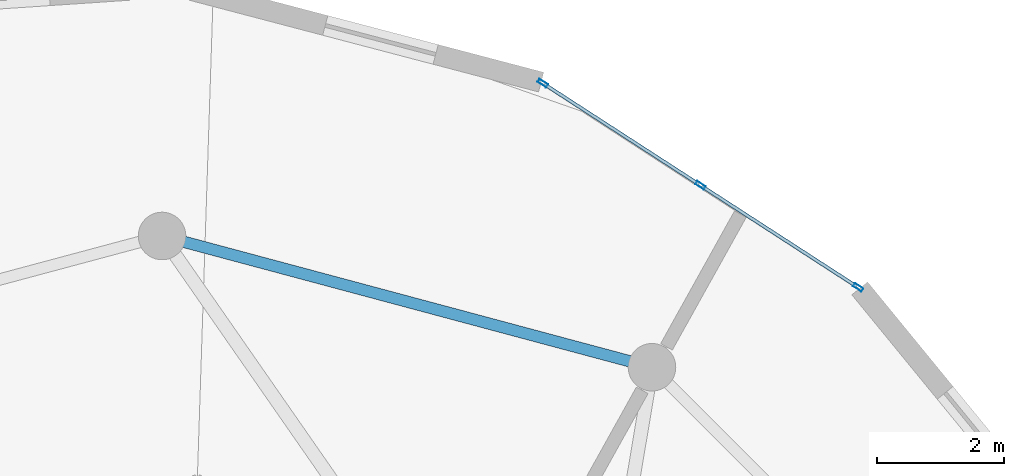
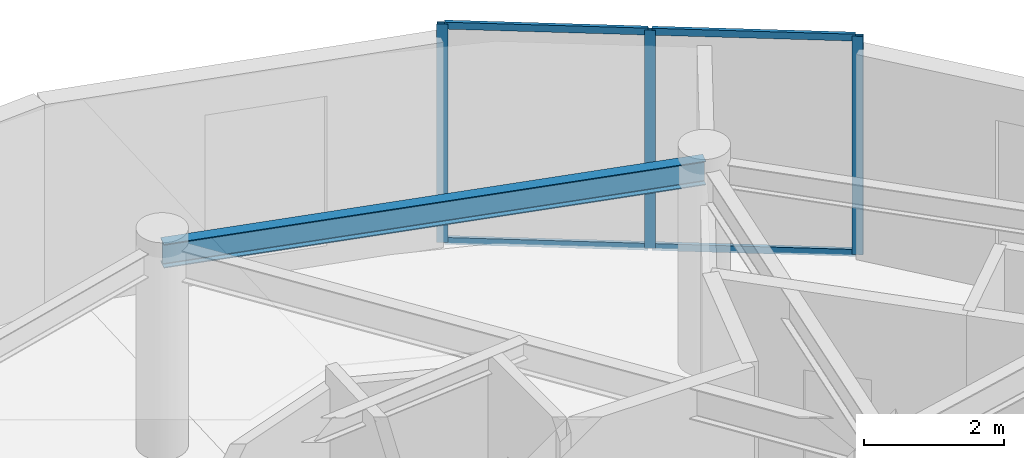
# One storey, part 10 of 17: 7 members, 1 beam, 1 element without a shape of its own.
"""IFC4 building model written with IfcOpenShell, lengths in metres."""

import ifcopenshell
import ifcopenshell.guid

model = None  # the IFC model being written
_history = None  # IfcOwnerHistory: only IFC2X3 demands one
_inside = {}  # id of a spatial element -> (the spatial element, [elements in it])
_under = {}  # id of a project, library or spatial element -> (it, [spatial elements below it])
_declared = {}  # id of a project -> (the project, [libraries it declares])
_typed = {}  # id of a type object -> (the type object, [elements of that type])
_made_of = {}  # id of a material, layer set ... -> (it, [elements and type objects made of it])


def new_model(schema):
    """Start an empty IFC model of exactly this schema.

    Asked for "IFC4X3", IfcOpenShell would pick the latest addendum, in which some entities
    have other attributes; the version numbers below select the first issue.
    IFC2X3 requires an IfcOwnerHistory on every rooted entity: one is made here for all.
    """
    global model, _history
    if schema == "IFC4X3":
        model = ifcopenshell.file(schema_version=(4, 3, 0, 0))
    else:
        model = ifcopenshell.file(schema=schema)
    _inside.clear()
    _under.clear()
    _declared.clear()
    _typed.clear()
    _made_of.clear()
    _history = None
    if model.schema == "IFC2X3":
        org = make("IfcOrganization", Name="unknown")
        user = make(
            "IfcPersonAndOrganization",
            ThePerson=make("IfcPerson", FamilyName="unknown"),
            TheOrganization=org,
        )
        app = make(
            "IfcApplication",
            ApplicationDeveloper=org,
            Version="unknown",
            ApplicationFullName="unknown",
            ApplicationIdentifier="unknown",
        )
        _history = make(
            "IfcOwnerHistory",
            OwningUser=user,
            OwningApplication=app,
            ChangeAction="ADDED",
            CreationDate=0,
        )
    return model


def make(cls, **values):
    """One entity of the class cls with the attributes given. An attribute that is None is left unset."""
    return model.create_entity(
        cls, **{name: value for name, value in values.items() if value is not None}
    )


def rooted(cls, **values):
    """An entity with a GlobalId (a new one), such as an element, a storey or a relation."""
    return make(cls, GlobalId=ifcopenshell.guid.new(), OwnerHistory=_history, **values)


def si_unit(unit_type, name, prefix=None):
    """IfcSIUnit, for example si_unit("LENGTHUNIT", "METRE", prefix="MILLI")."""
    return make("IfcSIUnit", UnitType=unit_type, Prefix=prefix, Name=name)


def assignment(units):
    """IfcUnitAssignment: the units of a project."""
    return None if units is None else make("IfcUnitAssignment", Units=units)


def point(xyz):
    """IfcCartesianPoint."""
    return None if xyz is None else make("IfcCartesianPoint", Coordinates=xyz)


def direction(xyz):
    """IfcDirection."""
    return None if xyz is None else make("IfcDirection", DirectionRatios=xyz)


def frame(location, z_axis=None, x_axis=None):
    """IfcAxis2Placement3D, a coordinate frame: its origin and axes. An axis left out is left unset."""
    return make(
        "IfcAxis2Placement3D",
        Location=point(location),
        Axis=direction(z_axis),
        RefDirection=direction(x_axis),
    )


def frame_2d(location, x_axis=None):
    """IfcAxis2Placement2D, a coordinate frame in the plane: its origin and x axis."""
    return make(
        "IfcAxis2Placement2D", Location=point(location), RefDirection=direction(x_axis)
    )


def origin():
    """The frame at (0, 0, 0) with its axes left unset."""
    return frame((0.0, 0.0, 0.0))


def origin_2d():
    """The frame at (0, 0) in the plane with its x axis left unset."""
    return frame_2d((0.0, 0.0))


def place(relative_to, where):
    """IfcLocalPlacement: puts the frame where relative to a parent placement (None: the world)."""
    return make(
        "IfcLocalPlacement", PlacementRelTo=relative_to, RelativePlacement=where
    )


def context(
    kind, dimensions, precision=None, world=None, true_north=None, identifier=None
):
    """IfcGeometricRepresentationContext, for example the 3D "Model" context."""
    return make(
        "IfcGeometricRepresentationContext",
        ContextIdentifier=identifier,
        ContextType=kind,
        CoordinateSpaceDimension=dimensions,
        Precision=precision,
        WorldCoordinateSystem=world,
        TrueNorth=true_north,
    )


def subcontext(parent, identifier, kind, view, scale=None):
    """IfcGeometricRepresentationSubContext, for example "Body" below "Model"."""
    return make(
        "IfcGeometricRepresentationSubContext",
        ContextIdentifier=identifier,
        ContextType=kind,
        ParentContext=parent,
        TargetScale=scale,
        TargetView=view,
    )


def project(units=None, contexts=None):
    """IfcProject with its units and contexts."""
    return rooted(
        "IfcProject",
        Name="project",
        RepresentationContexts=contexts,
        UnitsInContext=assignment(units),
    )


def spatial(cls, under=None, at=None, **own):
    """A site, building, storey or space (cls), placed at a placement, below another one or the project."""
    s = rooted(cls, ObjectPlacement=at, **own)
    if under is not None:
        _under.setdefault(under.id(), (under, []))[1].append(s)
    return s


def profile(cls, at=None, kind="AREA", **sizes):
    """A parametric profile (cls). Its sizes go by their IFC names, for example OverallWidth=200.0."""
    return make(cls, ProfileType=kind, Position=at, **sizes)


def hollow_rectangle(**sizes):
    """IfcRectangleHollowProfileDef."""
    return profile("IfcRectangleHollowProfileDef", **sizes)


def i_section(**sizes):
    """IfcIShapeProfileDef."""
    return profile("IfcIShapeProfileDef", **sizes)


def extrude(swept, where, along, depth):
    """IfcExtrudedAreaSolid: the profile swept, set in the frame where, extruded along a direction by depth."""
    return make(
        "IfcExtrudedAreaSolid",
        SweptArea=swept,
        Position=where,
        ExtrudedDirection=direction(along),
        Depth=depth,
    )


def shape(context_of_items, identifier, shape_type, items):
    """IfcShapeRepresentation: the items that make up one representation, for example the "Body"."""
    return make(
        "IfcShapeRepresentation",
        ContextOfItems=context_of_items,
        RepresentationIdentifier=identifier,
        RepresentationType=shape_type,
        Items=items,
    )


def source(mapping_origin, context_of_items, identifier, shape_type, items):
    """IfcRepresentationMap: a shape defined once, which mapped items show again and again."""
    return make(
        "IfcRepresentationMap",
        MappingOrigin=mapping_origin,
        MappedRepresentation=shape(context_of_items, identifier, shape_type, items),
    )


def transform(
    local_origin,
    x_axis=None,
    y_axis=None,
    z_axis=None,
    scale=None,
    scale2=None,
    scale3=None,
    uniform=True,
):
    """IfcCartesianTransformationOperator3D, or its non-uniform kind. x_axis, y_axis, z_axis: its Axis1, 2, 3."""
    if uniform:
        return make(
            "IfcCartesianTransformationOperator3D",
            Axis1=direction(x_axis),
            Axis2=direction(y_axis),
            LocalOrigin=point(local_origin),
            Scale=scale,
            Axis3=direction(z_axis),
        )
    return make(
        "IfcCartesianTransformationOperator3DnonUniform",
        Axis1=direction(x_axis),
        Axis2=direction(y_axis),
        LocalOrigin=point(local_origin),
        Scale=scale,
        Axis3=direction(z_axis),
        Scale2=scale2,
        Scale3=scale3,
    )


def mapped(mapping_source, mapping_target):
    """IfcMappedItem: shows the shape of a source again, moved by a transform."""
    return make(
        "IfcMappedItem", MappingSource=mapping_source, MappingTarget=mapping_target
    )


def material(Name=None, Category=None):
    """IfcMaterial."""
    return make("IfcMaterial", Name=Name, Category=Category)


def layer(
    of_material, thickness, ventilated=None, Name=None, Category=None, Priority=None
):
    """IfcMaterialLayer: one layer of a wall or slab, of a material (None: an air gap)."""
    return make(
        "IfcMaterialLayer",
        Material=of_material,
        LayerThickness=thickness,
        IsVentilated=ventilated,
        Name=Name,
        Category=Category,
        Priority=Priority,
    )


def layer_set(layers, Name=None):
    """IfcMaterialLayerSet."""
    return make("IfcMaterialLayerSet", MaterialLayers=layers, LayerSetName=Name)


def material_profile(
    of_material, cross_section, Name=None, Category=None, Priority=None
):
    """IfcMaterialProfile: a cross section and its material."""
    return make(
        "IfcMaterialProfile",
        Name=Name,
        Material=of_material,
        Profile=cross_section,
        Priority=Priority,
        Category=Category,
    )


def profile_set(profiles, Name=None, composite=None):
    """IfcMaterialProfileSet."""
    return make(
        "IfcMaterialProfileSet",
        Name=Name,
        MaterialProfiles=profiles,
        CompositeProfile=composite,
    )


def made_of(thing, what):
    """Note that an element or type object is made of a material, layer set ...; save() writes the relation."""
    if what is not None:
        _made_of.setdefault(what.id(), (what, []))[1].append(thing)
    return thing


def type_object(cls, material=None, **own):
    """A type object (cls), such as IfcWallType, which elements share."""
    return made_of(rooted(cls, **own), material)


def element(
    cls,
    number,
    at=None,
    inside=None,
    cuts=None,
    type_object=None,
    material=None,
    context=None,
    identifier="Body",
    shape_type=None,
    held_by="IfcProductDefinitionShape",
    body=None,
    shapes=None,
    **own,
):
    """One element of the class cls, such as IfcWall. Its Tag is "e" and its number.

    at: its placement. inside: the storey or other place that contains it. cuts: it is an
    opening in that element (IfcRelVoidsElement). A single representation is given by context,
    identifier, shape_type and body (its items); several are given by shapes. held_by: the class
    of the entity that holds the representations. save() writes the other relations.
    """
    e = rooted(cls, Tag="e%d" % number, ObjectPlacement=at, **own)
    if body is not None:
        shapes = [shape(context, identifier, shape_type, body)]
    if shapes is not None:
        e.Representation = make(held_by, Representations=shapes)
    if inside is not None:
        _inside.setdefault(inside.id(), (inside, []))[1].append(e)
    if cuts is not None:
        rooted(
            "IfcRelVoidsElement", RelatingBuildingElement=cuts, RelatedOpeningElement=e
        )
    if type_object is not None:
        _typed.setdefault(type_object.id(), (type_object, []))[1].append(e)
    return made_of(e, material)


def aggregate(whole, parts):
    """IfcRelAggregates: a whole, such as a stair, and the parts it consists of."""
    return rooted("IfcRelAggregates", RelatingObject=whole, RelatedObjects=parts)


def save(model, path):
    """Write the relations noted so far, then the file.

    IfcRelAggregates (storeys below a building ...), IfcRelContainedInSpatialStructure (elements
    in a storey), IfcRelDefinesByType, IfcRelAssociatesMaterial and IfcRelDeclares: one each for
    every whole, place, type object, material and project.
    """
    for whole, parts in _under.values():
        aggregate(whole, parts)
    for where, things in _inside.values():
        rooted(
            "IfcRelContainedInSpatialStructure",
            RelatedElements=things,
            RelatingStructure=where,
        )
    for kind, things in _typed.values():
        rooted("IfcRelDefinesByType", RelatedObjects=things, RelatingType=kind)
    for what, things in _made_of.values():
        rooted("IfcRelAssociatesMaterial", RelatedObjects=things, RelatingMaterial=what)
    for by, libraries in _declared.values():
        rooted("IfcRelDeclares", RelatingContext=by, RelatedDefinitions=libraries)
    model.write(path)


model = new_model("IFC4")

# Units and contexts
model_context = context("Model", 3, precision=1e-05, world=origin(), true_north=direction((0.0, 1.0)))
body_context = subcontext(model_context, "Body", "Model", "MODEL_VIEW")
ifc_project = project(units=[si_unit("LENGTHUNIT", "METRE"), si_unit("AREAUNIT", "SQUARE_METRE"), si_unit("VOLUMEUNIT", "CUBIC_METRE"), si_unit("PLANEANGLEUNIT", "RADIAN"), si_unit("MASSUNIT", "GRAM", prefix="KILO")], contexts=[model_context])

# Site, building, storey
site_placement = place(None, origin())
site = spatial("IfcSite", under=ifc_project, at=site_placement, CompositionType="ELEMENT")
building_placement = place(site_placement, origin())
building = spatial("IfcBuilding", under=site, at=building_placement, Name="Solvirekh Grand Hotel", CompositionType="ELEMENT")
storey_placement = place(building_placement, frame((0.0, 0.0, 246.800048828125)))
storey = spatial("IfcBuildingStorey", under=building, at=storey_placement, Name="L64", CompositionType="ELEMENT", Elevation=246.800048828125)

# Beam
ifc_material_1 = material(Name="Steel S355", Category="steel")
ifc_material_profile_1 = material_profile(ifc_material_1, i_section(OverallWidth=0.180908203125, OverallDepth=0.4169921875, WebThickness=0.010009765625, FlangeThickness=0.01611328125, FilletRadius=0.011962890625, at=origin_2d()), Name="W410X85")
ifc_profile_set_1 = profile_set([ifc_material_profile_1], Name="Steel S355")
beam_type = type_object("IfcBeamType", Name="Spandrel_Ring_W410", PredefinedType="SPANDREL", material=ifc_profile_set_1)
beam_placement = place(storey_placement, frame((7.72509765625, 13.3798828125, 3.362060546875), z_axis=(-0.965921616143, 0.258834757072, 0.0), x_axis=(-0.258834757072, -0.965921616143, 0.0)))
element("IfcBeam", 1, at=beam_placement, inside=storey, type_object=beam_type, Name="L64 perimeter spandrel beam 3", PredefinedType="SPANDREL", context=body_context, shape_type="SweptSolid", body=[
    extrude(i_section(OverallWidth=0.180908203125, OverallDepth=0.4169921875, WebThickness=0.010009765625, FlangeThickness=0.01611328125, FilletRadius=0.011962890625, at=origin_2d()), origin(), (0.0, 0.0, 1.0), 7.99755859375),
])

# Curtain wall, members
ifc_material_2 = material(Name="Anodized Bronze Aluminium 6063-T6", Category="aluminium")
ifc_layer = layer(ifc_material_2, 0.159912109375)
ifc_layer_set = layer_set([ifc_layer], Name="Anodized Bronze Aluminium 6063-T6")
curtain_wall_type = type_object("IfcCurtainWallType", Name="CW_Sys4_HighZoneFlushBronzeCW", PredefinedType="NOTDEFINED", material=ifc_layer_set)
curtain_wall_placement = place(storey_placement, origin())
curtain_wall = element("IfcCurtainWall", 2, at=curtain_wall_placement, inside=storey, type_object=curtain_wall_type, Name="L64 unitised bronze-glass curtain wall CW-L64-C08", PredefinedType="NOTDEFINED")
ifc_material_profile_2 = material_profile(ifc_material_2, hollow_rectangle(XDim=0.06005859375, YDim=0.159912109375, WallThickness=0.0048828125, at=origin_2d()), Name="ALU RHS 160X60X5")
ifc_profile_set_2 = profile_set([ifc_material_profile_2], Name="Anodized Bronze Aluminium 6063-T6")
member_type_1 = type_object("IfcMemberType", Name="CWMullion_Sys4", PredefinedType="MULLION", material=ifc_profile_set_2)
shared_shape_1 = source(origin(), body_context, "Body", "SweptSolid", [
    extrude(hollow_rectangle(XDim=0.06005859375, YDim=0.159912109375, WallThickness=0.0048828125, at=origin_2d()), origin(), (0.0, 0.0, 1.0), 3.800048828125),
])
member_1_placement = place(storey_placement, frame((10.975830078125, 14.639404296875, 0.0), z_axis=(0.0, 0.0, 1.0), x_axis=(-0.543507576279, -0.839404261681, 0.0)))
member_1 = element("IfcMember", 3, at=member_1_placement, type_object=member_type_1, Name="U04 mullion 1", PredefinedType="MULLION", context=body_context, shape_type="MappedRepresentation", body=[
    mapped(shared_shape_1, transform((0.0, 0.0, 0.0), x_axis=(1.0, 0.0, 0.0), y_axis=(0.0, 1.0, 0.0), z_axis=(0.0, 0.0, 1.0), scale=1.0)),
])
member_2_placement = place(storey_placement, frame((8.489013671875, 16.24951171875, 0.0), z_axis=(0.0, 0.0, 1.0), x_axis=(-0.543507576279, -0.839404261681, 0.0)))
member_2 = element("IfcMember", 4, at=member_2_placement, type_object=member_type_1, Name="U04 mullion 2", PredefinedType="MULLION", context=body_context, shape_type="MappedRepresentation", body=[
    mapped(shared_shape_1, transform((0.0, 0.0, 0.0), x_axis=(1.0, 0.0, 0.0), y_axis=(0.0, 1.0, 0.0), z_axis=(0.0, 0.0, 1.0), scale=1.0)),
])
member_3_placement = place(storey_placement, frame((6.002197265625, 17.859619140625, 0.0), z_axis=(0.0, 0.0, 1.0), x_axis=(-0.543507576279, -0.839404261681, 0.0)))
member_3 = element("IfcMember", 5, at=member_3_placement, type_object=member_type_1, Name="U04 mullion 3", PredefinedType="MULLION", context=body_context, shape_type="MappedRepresentation", body=[
    mapped(shared_shape_1, transform((0.0, 0.0, 0.0), x_axis=(1.0, 0.0, 0.0), y_axis=(0.0, 1.0, 0.0), z_axis=(0.0, 0.0, 1.0), scale=1.0)),
])
ifc_material_profile_3 = material_profile(ifc_material_2, hollow_rectangle(XDim=0.054931640625, YDim=0.1201171875, WallThickness=0.00390625, at=origin_2d()), Name="ALU RHS 120X55X4")
ifc_profile_set_3 = profile_set([ifc_material_profile_3], Name="Anodized Bronze Aluminium 6063-T6")
member_type_2 = type_object("IfcMemberType", Name="CWTransom_Sys4", PredefinedType="USERDEFINED", material=ifc_profile_set_3)
shared_shape_2 = source(origin(), body_context, "Body", "SweptSolid", [
    extrude(hollow_rectangle(XDim=0.054931640625, YDim=0.1201171875, WallThickness=0.00390625, at=origin_2d()), origin(), (0.0, 0.0, 1.0), 2.902587890625),
])
member_4_placement = place(storey_placement, frame((10.95068359375, 14.655517578125, 0.02734375), z_axis=(-0.839403131285, 0.543509322081, 0.0), x_axis=(-0.543509322081, -0.839403131285, 0.0)))
member_4 = element("IfcMember", 6, at=member_4_placement, type_object=member_type_2, Name="U04 transom 1.1", ObjectType="TRANSOM", PredefinedType="USERDEFINED", context=body_context, shape_type="MappedRepresentation", body=[
    mapped(shared_shape_2, transform((0.0, 0.0, 0.0), x_axis=(1.0, 0.0, 0.0), y_axis=(0.0, 1.0, 0.0), z_axis=(0.0, 0.0, 1.0), scale=1.0)),
])
member_5_placement = place(storey_placement, frame((10.95068359375, 14.655517578125, 3.7724609375), z_axis=(-0.839403131285, 0.543509322081, 0.0), x_axis=(-0.543509322081, -0.839403131285, 0.0)))
member_5 = element("IfcMember", 7, at=member_5_placement, type_object=member_type_2, Name="U04 transom 1.2", ObjectType="TRANSOM", PredefinedType="USERDEFINED", context=body_context, shape_type="MappedRepresentation", body=[
    mapped(shared_shape_2, transform((0.0, 0.0, 0.0), x_axis=(1.0, 0.0, 0.0), y_axis=(0.0, 1.0, 0.0), z_axis=(0.0, 0.0, 1.0), scale=1.0)),
])
member_6_placement = place(storey_placement, frame((8.4638671875, 16.265869140625, 0.02734375), z_axis=(-0.839403131285, 0.543509322081, 0.0), x_axis=(-0.543509322081, -0.839403131285, 0.0)))
member_6 = element("IfcMember", 8, at=member_6_placement, type_object=member_type_2, Name="U04 transom 2.1", ObjectType="TRANSOM", PredefinedType="USERDEFINED", context=body_context, shape_type="MappedRepresentation", body=[
    mapped(shared_shape_2, transform((0.0, 0.0, 0.0), x_axis=(1.0, 0.0, 0.0), y_axis=(0.0, 1.0, 0.0), z_axis=(0.0, 0.0, 1.0), scale=1.0)),
])
member_7_placement = place(storey_placement, frame((8.4638671875, 16.265869140625, 3.7724609375), z_axis=(-0.839403131285, 0.543509322081, 0.0), x_axis=(-0.543509322081, -0.839403131285, 0.0)))
member_7 = element("IfcMember", 9, at=member_7_placement, type_object=member_type_2, Name="U04 transom 2.2", ObjectType="TRANSOM", PredefinedType="USERDEFINED", context=body_context, shape_type="MappedRepresentation", body=[
    mapped(shared_shape_2, transform((0.0, 0.0, 0.0), x_axis=(1.0, 0.0, 0.0), y_axis=(0.0, 1.0, 0.0), z_axis=(0.0, 0.0, 1.0), scale=1.0)),
])
aggregate(curtain_wall, [member_1, member_2, member_3, member_4, member_5, member_6, member_7])

save(model, "model.ifc")
